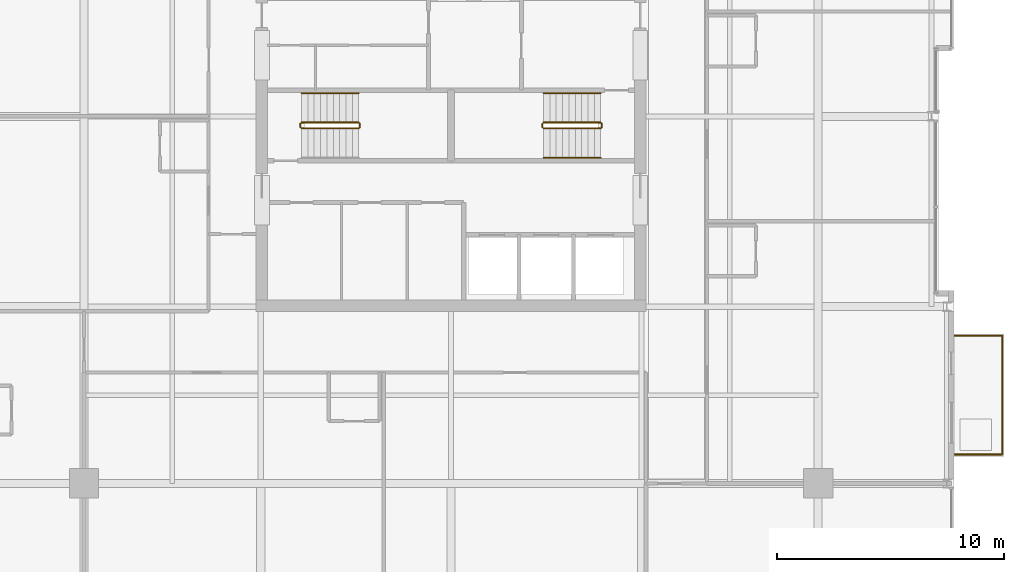
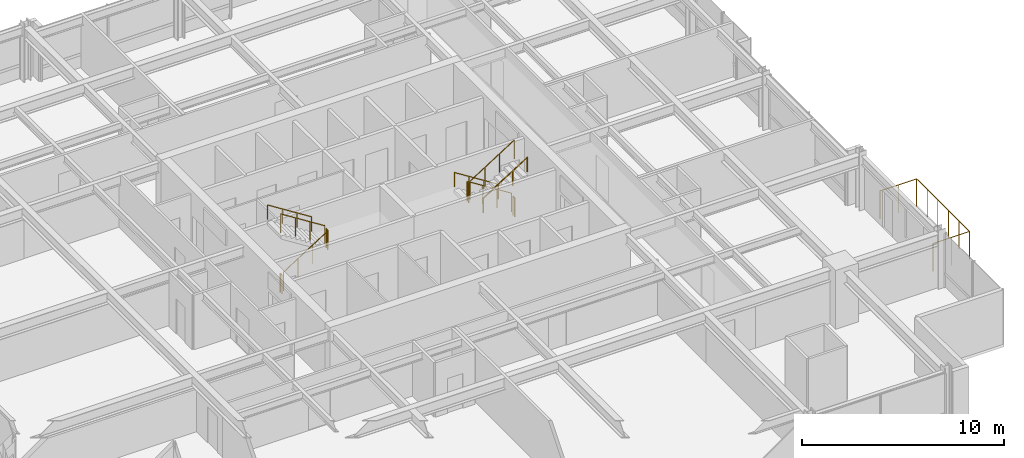
# One storey, part 32 of 33: 12 railings.
"""IFC4 building model written with IfcOpenShell, lengths in metres."""

from ifc_helpers import new_model, si_unit, direction, frame, origin, origin_2d, place, context, subcontext, project, spatial, circle, extrude, material, type_object, element, save


model = new_model("IFC4")

# Units and contexts
model_context = context("Model", 3, precision=1e-05, world=origin(), true_north=direction((0.0, 1.0)))
body_context = subcontext(model_context, "Body", "Model", "MODEL_VIEW")
ifc_project = project(units=[si_unit("LENGTHUNIT", "METRE"), si_unit("AREAUNIT", "SQUARE_METRE"), si_unit("VOLUMEUNIT", "CUBIC_METRE"), si_unit("PLANEANGLEUNIT", "RADIAN"), si_unit("MASSUNIT", "GRAM", prefix="KILO")], contexts=[model_context])

# Site, building, storey
site_placement = place(None, origin())
site = spatial("IfcSite", under=ifc_project, at=site_placement, CompositionType="ELEMENT")
building_placement = place(site_placement, origin())
building = spatial("IfcBuilding", under=site, at=building_placement, Name="Drelvath Grand Hotel", CompositionType="ELEMENT")
storey_placement = place(building_placement, frame((0.0, 0.0, 168.14990234375)))
storey = spatial("IfcBuildingStorey", under=building, at=storey_placement, Name="L43", CompositionType="ELEMENT", Elevation=168.14990234375)

# Railings
ifc_material_1 = material(Name="Painted Steel S275", Category="steel")
railing_type_1 = type_object("IfcRailingType", Name="Core Stair Wall Handrail 900", PredefinedType="HANDRAIL", material=ifc_material_1)
railing_1_placement = place(storey_placement, frame((-4.080078125, 28.030029296875, 1.95263671875)))
element("IfcRailing", 1, at=railing_1_placement, inside=storey, type_object=railing_type_1, Name="L43 ST-1 stair handrail 2", PredefinedType="HANDRAIL", context=body_context, shape_type="SweptSolid", body=[
    extrude(circle(Radius=0.02392578125, at=origin_2d()), frame((0.0, 0.0, 0.8759765625), z_axis=(-0.84460694969, 0.0, 0.535386869969), x_axis=(0.0, -1.0, 0.0)), (0.0, 0.0, 1.0), 2.983642578125),
    extrude(circle(Radius=0.02099609375, at=origin_2d()), origin(), (0.0, 0.0, 1.0), 0.851806640625),
    extrude(circle(Radius=0.02099609375, at=origin_2d()), frame((-0.840087890625, 0.0, 0.532470703125)), (0.0, 0.0, 1.0), 0.851806640625),
    extrude(circle(Radius=0.02099609375, at=origin_2d()), frame((-1.679931640625, 0.0, 1.06494140625)), (0.0, 0.0, 1.0), 0.851806640625),
    extrude(circle(Radius=0.02099609375, at=origin_2d()), frame((-2.52001953125, 0.0, 1.597412109375)), (0.0, 0.0, 1.0), 0.851806640625),
])
railing_2_placement = place(storey_placement, frame((6.60009765625, 28.030029296875, 0.177490234375)))
element("IfcRailing", 2, at=railing_2_placement, inside=storey, type_object=railing_type_1, Name="L43 ST-2 stair handrail 1", PredefinedType="HANDRAIL", context=body_context, shape_type="SweptSolid", body=[
    extrude(circle(Radius=0.02392578125, at=origin_2d()), frame((0.0, 0.0, 0.8759765625), z_axis=(-0.84456994832, 0.0, 0.535445237532), x_axis=(0.0, -1.0, 0.0)), (0.0, 0.0, 1.0), 2.98388671875),
    extrude(circle(Radius=0.02099609375, at=origin_2d()), origin(), (0.0, 0.0, 1.0), 0.851806640625),
    extrude(circle(Radius=0.02099609375, at=origin_2d()), frame((-0.840087890625, 0.0, 0.532470703125)), (0.0, 0.0, 1.0), 0.851806640625),
    extrude(circle(Radius=0.02099609375, at=origin_2d()), frame((-1.679931640625, 0.0, 1.065185546875)), (0.0, 0.0, 1.0), 0.851806640625),
    extrude(circle(Radius=0.02099609375, at=origin_2d()), frame((-2.52001953125, 0.0, 1.59765625)), (0.0, 0.0, 1.0), 0.851806640625),
])
railing_3_placement = place(storey_placement, frame((4.080078125, 25.169921875, 1.95263671875)))
element("IfcRailing", 3, at=railing_3_placement, inside=storey, type_object=railing_type_1, Name="L43 ST-2 stair handrail 2", PredefinedType="HANDRAIL", context=body_context, shape_type="SweptSolid", body=[
    extrude(circle(Radius=0.02392578125, at=origin_2d()), frame((0.0, 0.0, 0.8759765625), z_axis=(0.84460694969, 0.0, 0.535386869969), x_axis=(0.0, 1.0, 0.0)), (0.0, 0.0, 1.0), 2.983642578125),
    extrude(circle(Radius=0.02099609375, at=origin_2d()), origin(), (0.0, 0.0, 1.0), 0.851806640625),
    extrude(circle(Radius=0.02099609375, at=origin_2d()), frame((0.840087890625, 0.0, 0.532470703125)), (0.0, 0.0, 1.0), 0.851806640625),
    extrude(circle(Radius=0.02099609375, at=origin_2d()), frame((1.679931640625, 0.0, 1.06494140625)), (0.0, 0.0, 1.0), 0.851806640625),
    extrude(circle(Radius=0.02099609375, at=origin_2d()), frame((2.52001953125, 0.0, 1.597412109375)), (0.0, 0.0, 1.0), 0.851806640625),
])
railing_type_2 = type_object("IfcRailingType", Name="Core Stair Well Guardrail 1100", PredefinedType="GUARDRAIL", material=ifc_material_1)
railing_4_placement = place(storey_placement, frame((-6.60009765625, 26.469970703125, 0.177490234375)))
element("IfcRailing", 4, at=railing_4_placement, inside=storey, type_object=railing_type_2, Name="L43 ST-1 stair guard 1", PredefinedType="GUARDRAIL", context=body_context, shape_type="SweptSolid", body=[
    extrude(circle(Radius=0.02392578125, at=origin_2d()), frame((0.0, 0.0, 1.1259765625), z_axis=(0.84456994832, 0.0, 0.535445237532), x_axis=(0.0, 1.0, 0.0)), (0.0, 0.0, 1.0), 2.98388671875),
    extrude(circle(Radius=0.02099609375, at=origin_2d()), origin(), (0.0, 0.0, 1.0), 1.101806640625),
    extrude(circle(Radius=0.02099609375, at=origin_2d()), frame((0.840087890625, 0.0, 0.532470703125)), (0.0, 0.0, 1.0), 1.101806640625),
    extrude(circle(Radius=0.02099609375, at=origin_2d()), frame((1.679931640625, 0.0, 1.065185546875)), (0.0, 0.0, 1.0), 1.101806640625),
    extrude(circle(Radius=0.02099609375, at=origin_2d()), frame((2.52001953125, 0.0, 1.59765625)), (0.0, 0.0, 1.0), 1.101806640625),
])
railing_5_placement = place(storey_placement, frame((-4.030029296875, 26.52001953125, 1.775146484375)))
element("IfcRailing", 5, at=railing_5_placement, inside=storey, type_object=railing_type_2, Name="L43 ST-1 stair guard 2", PredefinedType="GUARDRAIL", context=body_context, shape_type="SweptSolid", body=[
    extrude(circle(Radius=0.02392578125, at=origin_2d()), frame((0.0, 0.0, 1.1259765625), z_axis=(0.0, 1.0, 0.0), x_axis=(-1.0, 0.0, 0.0)), (0.0, 0.0, 1.0), 0.159912109375),
    extrude(circle(Radius=0.02099609375, at=origin_2d()), origin(), (0.0, 0.0, 1.0), 1.101806640625),
    extrude(circle(Radius=0.02099609375, at=origin_2d()), frame((0.0, 0.159912109375, 0.0)), (0.0, 0.0, 1.0), 1.101806640625),
])
railing_6_placement = place(storey_placement, frame((-4.080078125, 26.72998046875, 1.95263671875)))
element("IfcRailing", 6, at=railing_6_placement, inside=storey, type_object=railing_type_2, Name="L43 ST-1 stair guard 3", PredefinedType="GUARDRAIL", context=body_context, shape_type="SweptSolid", body=[
    extrude(circle(Radius=0.02392578125, at=origin_2d()), frame((0.0, 0.0, 1.1259765625), z_axis=(-0.84460694969, 0.0, 0.535386869969), x_axis=(0.0, -1.0, 0.0)), (0.0, 0.0, 1.0), 2.983642578125),
    extrude(circle(Radius=0.02099609375, at=origin_2d()), origin(), (0.0, 0.0, 1.0), 1.101806640625),
    extrude(circle(Radius=0.02099609375, at=origin_2d()), frame((-0.840087890625, 0.0, 0.532470703125)), (0.0, 0.0, 1.0), 1.101806640625),
    extrude(circle(Radius=0.02099609375, at=origin_2d()), frame((-1.679931640625, 0.0, 1.06494140625)), (0.0, 0.0, 1.0), 1.101806640625),
    extrude(circle(Radius=0.02099609375, at=origin_2d()), frame((-2.52001953125, 0.0, 1.597412109375)), (0.0, 0.0, 1.0), 1.101806640625),
])
railing_7_placement = place(storey_placement, frame((-6.64990234375, 26.52001953125, 0.0)))
element("IfcRailing", 7, at=railing_7_placement, inside=storey, type_object=railing_type_2, Name="L43 ST-1 stair guard 4", PredefinedType="GUARDRAIL", context=body_context, shape_type="SweptSolid", body=[
    extrude(circle(Radius=0.02392578125, at=origin_2d()), frame((0.0, 0.0, 1.1259765625), z_axis=(0.0, 1.0, 0.0), x_axis=(-1.0, 0.0, 0.0)), (0.0, 0.0, 1.0), 0.159912109375),
    extrude(circle(Radius=0.02099609375, at=origin_2d()), origin(), (0.0, 0.0, 1.0), 1.101806640625),
    extrude(circle(Radius=0.02099609375, at=origin_2d()), frame((0.0, 0.159912109375, 0.0)), (0.0, 0.0, 1.0), 1.101806640625),
])
railing_8_placement = place(storey_placement, frame((6.60009765625, 26.72998046875, 0.177490234375)))
element("IfcRailing", 8, at=railing_8_placement, inside=storey, type_object=railing_type_2, Name="L43 ST-2 stair guard 1", PredefinedType="GUARDRAIL", context=body_context, shape_type="SweptSolid", body=[
    extrude(circle(Radius=0.02392578125, at=origin_2d()), frame((0.0, 0.0, 1.1259765625), z_axis=(-0.84456994832, 0.0, 0.535445237532), x_axis=(0.0, -1.0, 0.0)), (0.0, 0.0, 1.0), 2.98388671875),
    extrude(circle(Radius=0.02099609375, at=origin_2d()), origin(), (0.0, 0.0, 1.0), 1.101806640625),
    extrude(circle(Radius=0.02099609375, at=origin_2d()), frame((-0.840087890625, 0.0, 0.532470703125)), (0.0, 0.0, 1.0), 1.101806640625),
    extrude(circle(Radius=0.02099609375, at=origin_2d()), frame((-1.679931640625, 0.0, 1.065185546875)), (0.0, 0.0, 1.0), 1.101806640625),
    extrude(circle(Radius=0.02099609375, at=origin_2d()), frame((-2.52001953125, 0.0, 1.59765625)), (0.0, 0.0, 1.0), 1.101806640625),
])
railing_9_placement = place(storey_placement, frame((4.030029296875, 26.679931640625, 1.775146484375)))
element("IfcRailing", 9, at=railing_9_placement, inside=storey, type_object=railing_type_2, Name="L43 ST-2 stair guard 2", PredefinedType="GUARDRAIL", context=body_context, shape_type="SweptSolid", body=[
    extrude(circle(Radius=0.02392578125, at=origin_2d()), frame((0.0, 0.0, 1.1259765625), z_axis=(0.0, -1.0, 0.0), x_axis=(1.0, 0.0, 0.0)), (0.0, 0.0, 1.0), 0.159912109375),
    extrude(circle(Radius=0.02099609375, at=origin_2d()), origin(), (0.0, 0.0, 1.0), 1.101806640625),
    extrude(circle(Radius=0.02099609375, at=origin_2d()), frame((0.0, -0.159912109375, 0.0)), (0.0, 0.0, 1.0), 1.101806640625),
])
railing_10_placement = place(storey_placement, frame((4.080078125, 26.469970703125, 1.95263671875)))
element("IfcRailing", 10, at=railing_10_placement, inside=storey, type_object=railing_type_2, Name="L43 ST-2 stair guard 3", PredefinedType="GUARDRAIL", context=body_context, shape_type="SweptSolid", body=[
    extrude(circle(Radius=0.02392578125, at=origin_2d()), frame((0.0, 0.0, 1.1259765625), z_axis=(0.84460694969, 0.0, 0.535386869969), x_axis=(0.0, 1.0, 0.0)), (0.0, 0.0, 1.0), 2.983642578125),
    extrude(circle(Radius=0.02099609375, at=origin_2d()), origin(), (0.0, 0.0, 1.0), 1.101806640625),
    extrude(circle(Radius=0.02099609375, at=origin_2d()), frame((0.840087890625, 0.0, 0.532470703125)), (0.0, 0.0, 1.0), 1.101806640625),
    extrude(circle(Radius=0.02099609375, at=origin_2d()), frame((1.679931640625, 0.0, 1.06494140625)), (0.0, 0.0, 1.0), 1.101806640625),
    extrude(circle(Radius=0.02099609375, at=origin_2d()), frame((2.52001953125, 0.0, 1.597412109375)), (0.0, 0.0, 1.0), 1.101806640625),
])
railing_11_placement = place(storey_placement, frame((6.64990234375, 26.679931640625, 0.0)))
element("IfcRailing", 11, at=railing_11_placement, inside=storey, type_object=railing_type_2, Name="L43 ST-2 stair guard 4", PredefinedType="GUARDRAIL", context=body_context, shape_type="SweptSolid", body=[
    extrude(circle(Radius=0.02392578125, at=origin_2d()), frame((0.0, 0.0, 1.1259765625), z_axis=(0.0, -1.0, 0.0), x_axis=(1.0, 0.0, 0.0)), (0.0, 0.0, 1.0), 0.159912109375),
    extrude(circle(Radius=0.02099609375, at=origin_2d()), origin(), (0.0, 0.0, 1.0), 1.101806640625),
    extrude(circle(Radius=0.02099609375, at=origin_2d()), frame((0.0, -0.159912109375, 0.0)), (0.0, 0.0, 1.0), 1.101806640625),
])
ifc_material_2 = material(Name="Anodised Aluminium and Laminated Glass Balustrade", Category="aluminium")
railing_type_3 = type_object("IfcRailingType", Name="Raised Planter Edge Balustrade 1700", PredefinedType="BALUSTRADE", material=ifc_material_2)
railing_12_placement = place(storey_placement, frame((22.219970703125, 12.080078125, 0.0)))
element("IfcRailing", 12, at=railing_12_placement, inside=storey, type_object=railing_type_3, Name="L43 Tree Balcony Perimeter Balustrade 1", PredefinedType="BALUSTRADE", context=body_context, shape_type="SweptSolid", body=[
    extrude(circle(Radius=0.02392578125, at=origin_2d()), frame((0.0, 0.0, 1.67578125), z_axis=(1.0, 0.0, 0.0), x_axis=(0.0, 1.0, 0.0)), (0.0, 0.0, 1.0), 2.10009765625),
    extrude(circle(Radius=0.02392578125, at=origin_2d()), frame((2.10009765625, 0.0, 1.67578125), z_axis=(0.0, 1.0, 0.0), x_axis=(-1.0, 0.0, 0.0)), (0.0, 0.0, 1.0), 5.239990234375),
    extrude(circle(Radius=0.02392578125, at=origin_2d()), frame((2.10009765625, 5.239990234375, 1.67578125), z_axis=(-1.0, 0.0, 0.0), x_axis=(0.0, -1.0, 0.0)), (0.0, 0.0, 1.0), 2.10009765625),
    extrude(circle(Radius=0.02099609375, at=origin_2d()), origin(), (0.0, 0.0, 1.0), 1.65185546875),
    extrude(circle(Radius=0.02099609375, at=origin_2d()), frame((1.050048828125, 0.0, 0.0)), (0.0, 0.0, 1.0), 1.65185546875),
    extrude(circle(Radius=0.02099609375, at=origin_2d()), frame((2.10009765625, 0.0, 0.0)), (0.0, 0.0, 1.0), 1.65185546875),
    extrude(circle(Radius=0.02099609375, at=origin_2d()), frame((2.10009765625, 1.048095703125, 0.0)), (0.0, 0.0, 1.0), 1.65185546875),
    extrude(circle(Radius=0.02099609375, at=origin_2d()), frame((2.10009765625, 2.095947265625, 0.0)), (0.0, 0.0, 1.0), 1.65185546875),
    extrude(circle(Radius=0.02099609375, at=origin_2d()), frame((2.10009765625, 3.14404296875, 0.0)), (0.0, 0.0, 1.0), 1.65185546875),
    extrude(circle(Radius=0.02099609375, at=origin_2d()), frame((2.10009765625, 4.19189453125, 0.0)), (0.0, 0.0, 1.0), 1.65185546875),
    extrude(circle(Radius=0.02099609375, at=origin_2d()), frame((2.10009765625, 5.239990234375, 0.0)), (0.0, 0.0, 1.0), 1.65185546875),
    extrude(circle(Radius=0.02099609375, at=origin_2d()), frame((1.050048828125, 5.239990234375, 0.0)), (0.0, 0.0, 1.0), 1.65185546875),
    extrude(circle(Radius=0.02099609375, at=origin_2d()), frame((0.0, 5.239990234375, 0.0)), (0.0, 0.0, 1.0), 1.65185546875),
])

save(model, "model.ifc")
